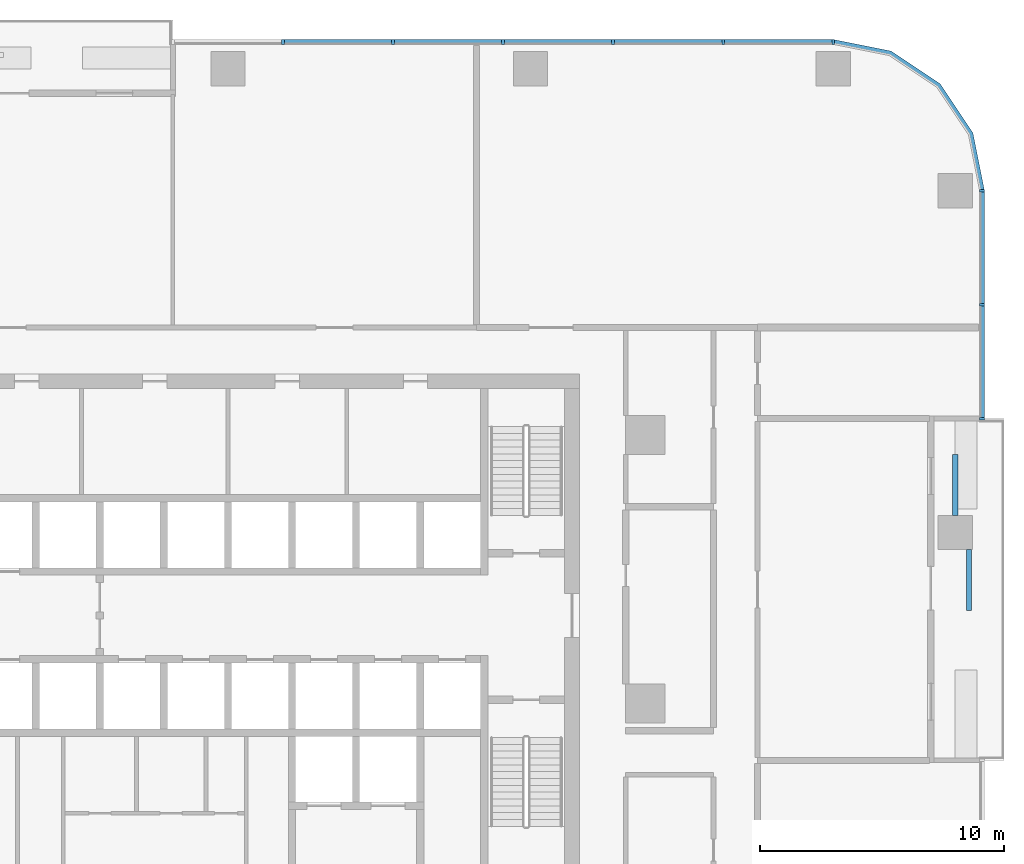
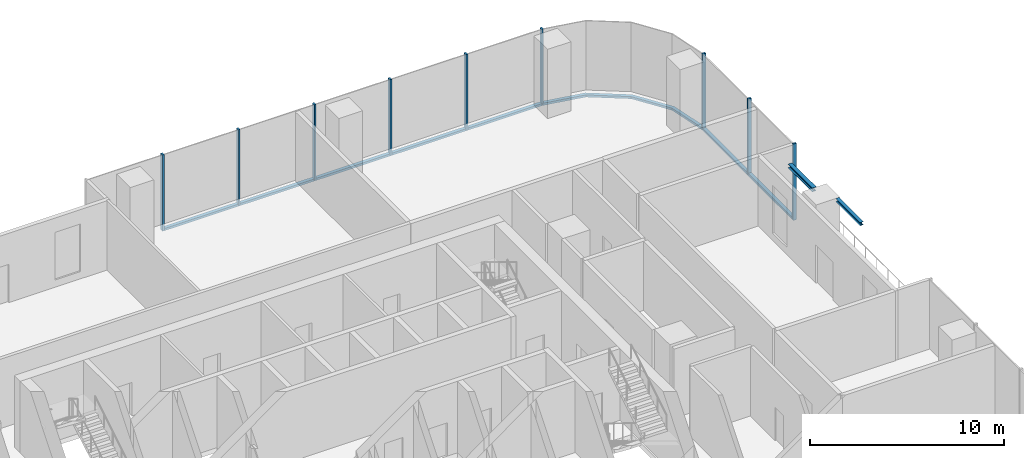
# One storey, part 5 of 15: 17 members, 2 beams, 3 elements without a shape of their own.
"""IFC4 building model written with IfcOpenShell, lengths in metres."""

from ifc_helpers import new_model, si_unit, direction, frame, origin, origin_2d, place, context, subcontext, project, spatial, polyline, rectangle, i_section, outline, extrude, material, material_profile, profile_set, type_object, element, aggregate, save


model = new_model("IFC4")

# Units and contexts
model_context = context("Model", 3, precision=1e-05, world=origin(), true_north=direction((0.0, 1.0)))
body_context = subcontext(model_context, "Body", "Model", "MODEL_VIEW")
ifc_project = project(units=[si_unit("LENGTHUNIT", "METRE"), si_unit("AREAUNIT", "SQUARE_METRE"), si_unit("VOLUMEUNIT", "CUBIC_METRE"), si_unit("PLANEANGLEUNIT", "RADIAN"), si_unit("MASSUNIT", "GRAM", prefix="KILO")], contexts=[model_context])

# Site, building, storey
site_placement = place(None, origin())
site = spatial("IfcSite", under=ifc_project, at=site_placement, CompositionType="ELEMENT")
building_placement = place(site_placement, origin())
building = spatial("IfcBuilding", under=site, at=building_placement, Name="Mopane Tessera Tower", CompositionType="ELEMENT")
storey_placement = place(building_placement, frame((0.0, 0.0, 69.39990234375)))
storey = spatial("IfcBuildingStorey", under=building, at=storey_placement, Name="L13", CompositionType="ELEMENT", Elevation=69.39990234375)

# Curtain wall, members
ifc_material_1 = material(Name="Aluminium frame", Category="aluminium")
curtain_wall_type = type_object("IfcCurtainWallType", Name="Lower tower unitised wall", PredefinedType="NOTDEFINED", material=ifc_material_1)
curtain_wall_1_placement = place(storey_placement, origin())
curtain_wall_1 = element("IfcCurtainWall", 1, at=curtain_wall_1_placement, inside=storey, type_object=curtain_wall_type, Name="e:cw:L13:E:7", PredefinedType="NOTDEFINED")
ifc_material_2 = material(Name="Aluminium frame", Category="aluminium")
ifc_material_profile_1 = material_profile(ifc_material_2, rectangle(XDim=0.110107421875, YDim=0.199951171875, at=origin_2d()))
ifc_profile_set_1 = profile_set([ifc_material_profile_1], Name="Aluminium frame")
member_type_1 = type_object("IfcMemberType", Name="Aluminium mullion 110 x 200", PredefinedType="MULLION", material=ifc_profile_set_1)
member_1_placement = place(storey_placement, frame((30.89990234375, 11.666748046875, -0.449951171875), z_axis=(0.0, 0.0, 1.0), x_axis=(0.0, 1.0, 0.0)))
member_1 = element("IfcMember", 2, at=member_1_placement, type_object=member_type_1, Name="e:cw:L13:E:7:mu7", PredefinedType="MULLION", context=body_context, shape_type="SweptSolid", body=[
    extrude(rectangle(XDim=0.110107421875, YDim=0.199951171875, at=origin_2d()), origin(), (0.0, 0.0, 1.0), 4.800048828125),
])
member_2_placement = place(storey_placement, frame((30.89990234375, 16.333251953125, -0.449951171875), z_axis=(0.0, 0.0, 1.0), x_axis=(0.0, 1.0, 0.0)))
member_2 = element("IfcMember", 3, at=member_2_placement, type_object=member_type_1, Name="e:cw:L13:E:7:mu8", PredefinedType="MULLION", context=body_context, shape_type="SweptSolid", body=[
    extrude(rectangle(XDim=0.110107421875, YDim=0.199951171875, at=origin_2d()), origin(), (0.0, 0.0, 1.0), 4.800048828125),
])
member_3_placement = place(storey_placement, frame((30.89990234375, 21.0, -0.449951171875), z_axis=(0.0, 0.0, 1.0), x_axis=(0.0, 1.0, 0.0)))
member_3 = element("IfcMember", 4, at=member_3_placement, type_object=member_type_1, Name="e:cw:L13:E:7:mu9", PredefinedType="MULLION", context=body_context, shape_type="SweptSolid", body=[
    extrude(rectangle(XDim=0.110107421875, YDim=0.199951171875, at=origin_2d()), origin(), (0.0, 0.0, 1.0), 4.800048828125),
])

curtain_wall_2_placement = place(storey_placement, origin())
curtain_wall_2 = element("IfcCurtainWall", 5, at=curtain_wall_2_placement, inside=storey, type_object=curtain_wall_type, Name="e:cw:L13:N:0", PredefinedType="NOTDEFINED")
member_4_placement = place(storey_placement, frame((24.800048828125, 27.10009765625, -0.449951171875), z_axis=(0.0, 0.0, 1.0), x_axis=(-1.0, 0.0, 0.0)))
member_4 = element("IfcMember", 6, at=member_4_placement, type_object=member_type_1, Name="e:cw:L13:N:0:mu0", PredefinedType="MULLION", context=body_context, shape_type="SweptSolid", body=[
    extrude(rectangle(XDim=0.110107421875, YDim=0.199951171875, at=origin_2d()), origin(), (0.0, 0.0, 1.0), 4.800048828125),
])
member_5_placement = place(storey_placement, frame((20.291015625, 27.10009765625, -0.449951171875), z_axis=(0.0, 0.0, 1.0), x_axis=(-1.0, 0.0, 0.0)))
member_5 = element("IfcMember", 7, at=member_5_placement, type_object=member_type_1, Name="e:cw:L13:N:0:mu1", PredefinedType="MULLION", context=body_context, shape_type="SweptSolid", body=[
    extrude(rectangle(XDim=0.110107421875, YDim=0.199951171875, at=origin_2d()), origin(), (0.0, 0.0, 1.0), 4.800048828125),
])
member_6_placement = place(storey_placement, frame((15.78173828125, 27.10009765625, -0.449951171875), z_axis=(0.0, 0.0, 1.0), x_axis=(-1.0, 0.0, 0.0)))
member_6 = element("IfcMember", 8, at=member_6_placement, type_object=member_type_1, Name="e:cw:L13:N:0:mu2", PredefinedType="MULLION", context=body_context, shape_type="SweptSolid", body=[
    extrude(rectangle(XDim=0.110107421875, YDim=0.199951171875, at=origin_2d()), origin(), (0.0, 0.0, 1.0), 4.800048828125),
])
member_7_placement = place(storey_placement, frame((11.272705078125, 27.10009765625, -0.449951171875), z_axis=(0.0, 0.0, 1.0), x_axis=(-1.0, 0.0, 0.0)))
member_7 = element("IfcMember", 9, at=member_7_placement, type_object=member_type_1, Name="e:cw:L13:N:0:mu3", PredefinedType="MULLION", context=body_context, shape_type="SweptSolid", body=[
    extrude(rectangle(XDim=0.110107421875, YDim=0.199951171875, at=origin_2d()), origin(), (0.0, 0.0, 1.0), 4.800048828125),
])
member_8_placement = place(storey_placement, frame((6.763671875, 27.10009765625, -0.449951171875), z_axis=(0.0, 0.0, 1.0), x_axis=(-1.0, 0.0, 0.0)))
member_8 = element("IfcMember", 10, at=member_8_placement, type_object=member_type_1, Name="e:cw:L13:N:0:mu4", PredefinedType="MULLION", context=body_context, shape_type="SweptSolid", body=[
    extrude(rectangle(XDim=0.110107421875, YDim=0.199951171875, at=origin_2d()), origin(), (0.0, 0.0, 1.0), 4.800048828125),
])
member_9_placement = place(storey_placement, frame((2.254638671875, 27.10009765625, -0.449951171875), z_axis=(0.0, 0.0, 1.0), x_axis=(-1.0, 0.0, 0.0)))
member_9 = element("IfcMember", 11, at=member_9_placement, type_object=member_type_1, Name="e:cw:L13:N:0:mu5", PredefinedType="MULLION", context=body_context, shape_type="SweptSolid", body=[
    extrude(rectangle(XDim=0.110107421875, YDim=0.199951171875, at=origin_2d()), origin(), (0.0, 0.0, 1.0), 4.800048828125),
])

# Member
ifc_material_3 = material(Name="Aluminium frame", Category="aluminium")
ifc_material_profile_2 = material_profile(ifc_material_3, rectangle(XDim=0.199951171875, YDim=0.139892578125, at=origin_2d()))
ifc_profile_set_2 = profile_set([ifc_material_profile_2], Name="Aluminium frame")
member_type_2 = type_object("IfcMemberType", Name="Aluminium transom 200 x 140", PredefinedType="USERDEFINED", material=ifc_profile_set_2)
member_10_placement = place(storey_placement, frame((30.89990234375, 11.7216796875, -0.3798828125), z_axis=(0.0, 1.0, 0.0), x_axis=(-1.0, 0.0, 0.0)))
member_10 = element("IfcMember", 12, at=member_10_placement, type_object=member_type_2, Name="e:cw:L13:E:7:tr7", ObjectType="TRANSOM", PredefinedType="USERDEFINED", context=body_context, shape_type="SweptSolid", body=[
    extrude(rectangle(XDim=0.199951171875, YDim=0.139892578125, at=origin_2d()), origin(), (0.0, 0.0, 1.0), 4.556640625),
])

member_11_placement = place(storey_placement, frame((30.89990234375, 16.388427734375, -0.3798828125), z_axis=(0.0, 1.0, 0.0), x_axis=(-1.0, 0.0, 0.0)))
member_11 = element("IfcMember", 13, at=member_11_placement, type_object=member_type_2, Name="e:cw:L13:E:7:tr8", ObjectType="TRANSOM", PredefinedType="USERDEFINED", context=body_context, shape_type="SweptSolid", body=[
    extrude(rectangle(XDim=0.199951171875, YDim=0.139892578125, at=origin_2d()), origin(), (0.0, 0.0, 1.0), 4.556640625),
])

aggregate(curtain_wall_1, [member_1, member_2, member_3, member_10, member_11])

# Curtain wall, member
curtain_wall_3_placement = place(storey_placement, origin())
curtain_wall_3 = element("IfcCurtainWall", 14, at=curtain_wall_3_placement, inside=storey, type_object=curtain_wall_type, Name="e:cw:L13:CE", PredefinedType="NOTDEFINED")
member_12_placement = place(storey_placement, frame((0.0, 0.0, -0.449951171875)))
member_12 = element("IfcMember", 15, at=member_12_placement, type_object=member_type_2, Name="e:cw:L13:CE:tr", ObjectType="TRANSOM", PredefinedType="USERDEFINED", context=body_context, shape_type="SweptSolid", body=[
    extrude(outline(polyline([(30.800048828125, 21.0), (30.34326171875, 23.296142578125), (29.042724609375, 25.24267578125), (27.09619140625, 26.543212890625), (24.800048828125, 27.0), (24.800048828125, 27.199951171875), (27.172607421875, 26.72802734375), (29.18408203125, 25.384033203125), (30.528076171875, 23.37255859375), (31.0, 21.0), (30.800048828125, 21.0)])), origin(), (0.0, 0.0, 1.0), 0.14013671875),
])
aggregate(curtain_wall_3, [member_12])

# Member
member_13_placement = place(storey_placement, frame((24.7451171875, 27.10009765625, -0.3798828125), z_axis=(-1.0, 0.0, 0.0), x_axis=(0.0, -1.0, 0.0)))
member_13 = element("IfcMember", 16, at=member_13_placement, type_object=member_type_2, Name="e:cw:L13:N:0:tr0", ObjectType="TRANSOM", PredefinedType="USERDEFINED", context=body_context, shape_type="SweptSolid", body=[
    extrude(rectangle(XDim=0.199951171875, YDim=0.139892578125, at=origin_2d()), origin(), (0.0, 0.0, 1.0), 4.399169921875),
])

member_14_placement = place(storey_placement, frame((20.23583984375, 27.10009765625, -0.3798828125), z_axis=(-1.0, 0.0, 0.0), x_axis=(0.0, -1.0, 0.0)))
member_14 = element("IfcMember", 17, at=member_14_placement, type_object=member_type_2, Name="e:cw:L13:N:0:tr1", ObjectType="TRANSOM", PredefinedType="USERDEFINED", context=body_context, shape_type="SweptSolid", body=[
    extrude(rectangle(XDim=0.199951171875, YDim=0.139892578125, at=origin_2d()), origin(), (0.0, 0.0, 1.0), 4.39892578125),
])

member_15_placement = place(storey_placement, frame((15.726806640625, 27.10009765625, -0.3798828125), z_axis=(-1.0, 0.0, 0.0), x_axis=(0.0, -1.0, 0.0)))
member_15 = element("IfcMember", 18, at=member_15_placement, type_object=member_type_2, Name="e:cw:L13:N:0:tr2", ObjectType="TRANSOM", PredefinedType="USERDEFINED", context=body_context, shape_type="SweptSolid", body=[
    extrude(rectangle(XDim=0.199951171875, YDim=0.139892578125, at=origin_2d()), origin(), (0.0, 0.0, 1.0), 4.399169921875),
])

member_16_placement = place(storey_placement, frame((11.2177734375, 27.10009765625, -0.3798828125), z_axis=(-1.0, 0.0, 0.0), x_axis=(0.0, -1.0, 0.0)))
member_16 = element("IfcMember", 19, at=member_16_placement, type_object=member_type_2, Name="e:cw:L13:N:0:tr3", ObjectType="TRANSOM", PredefinedType="USERDEFINED", context=body_context, shape_type="SweptSolid", body=[
    extrude(rectangle(XDim=0.199951171875, YDim=0.139892578125, at=origin_2d()), origin(), (0.0, 0.0, 1.0), 4.399169921875),
])

member_17_placement = place(storey_placement, frame((6.708740234375, 27.10009765625, -0.3798828125), z_axis=(-1.0, 0.0, 0.0), x_axis=(0.0, -1.0, 0.0)))
member_17 = element("IfcMember", 20, at=member_17_placement, type_object=member_type_2, Name="e:cw:L13:N:0:tr4", ObjectType="TRANSOM", PredefinedType="USERDEFINED", context=body_context, shape_type="SweptSolid", body=[
    extrude(rectangle(XDim=0.199951171875, YDim=0.139892578125, at=origin_2d()), origin(), (0.0, 0.0, 1.0), 4.399169921875),
])

aggregate(curtain_wall_2, [member_4, member_5, member_6, member_7, member_8, member_9, member_13, member_14, member_15, member_16, member_17])

# Beams
ifc_material_4 = material(Name="Structural steel S460", Category="steel")
ifc_material_profile_3 = material_profile(ifc_material_4, i_section(OverallWidth=0.239990234375, OverallDepth=0.239990234375, WebThickness=0.010009765625, FlangeThickness=0.01708984375, FilletRadius=0.02099609375, at=origin_2d()))
ifc_profile_set_3 = profile_set([ifc_material_profile_3], Name="Structural steel S460")
beam_type_1 = type_object("IfcBeamType", Name="Terrace spandrel beam HE 240 B", PredefinedType="SPANDREL", material=ifc_profile_set_3)
beam_1_placement = place(storey_placement, frame((29.800048828125, 7.702880859375, 4.22998046875), z_axis=(0.0, 1.0, 0.0), x_axis=(-1.0, 0.0, 0.0)))
element("IfcBeam", 21, at=beam_1_placement, inside=storey, type_object=beam_type_1, Name="Terrace spandrel beam N1 L14", PredefinedType="SPANDREL", context=body_context, shape_type="SweptSolid", body=[
    extrude(i_section(OverallWidth=0.239990234375, OverallDepth=0.239990234375, WebThickness=0.010009765625, FlangeThickness=0.01708984375, FilletRadius=0.02099609375, at=origin_2d()), origin(), (0.0, 0.0, 1.0), 2.5),
])
ifc_material_5 = material(Name="Structural steel S460", Category="steel")
ifc_material_profile_4 = material_profile(ifc_material_5, i_section(OverallWidth=0.199951171875, OverallDepth=0.199951171875, WebThickness=0.009033203125, FlangeThickness=0.014892578125, FilletRadius=0.01806640625, at=origin_2d()))
ifc_profile_set_4 = profile_set([ifc_material_profile_4], Name="Structural steel S460")
beam_type_2 = type_object("IfcBeamType", Name="Terrace trimmer beam HE 200 B", PredefinedType="BEAM", material=ifc_profile_set_4)
beam_2_placement = place(storey_placement, frame((30.360107421875, 6.297119140625, 4.25), z_axis=(0.0, -1.0, 0.0), x_axis=(1.0, 0.0, 0.0)))
element("IfcBeam", 22, at=beam_2_placement, inside=storey, type_object=beam_type_2, Name="Terrace trimmer beam N1 L14", PredefinedType="BEAM", context=body_context, shape_type="SweptSolid", body=[
    extrude(i_section(OverallWidth=0.199951171875, OverallDepth=0.199951171875, WebThickness=0.009033203125, FlangeThickness=0.014892578125, FilletRadius=0.01806640625, at=origin_2d()), origin(), (0.0, 0.0, 1.0), 2.5),
])

save(model, "model.ifc")
